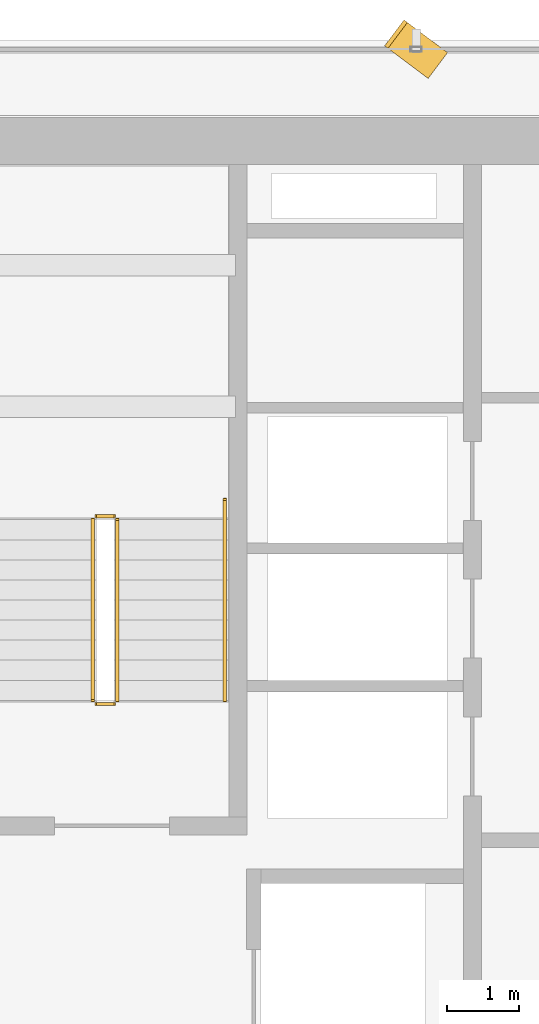
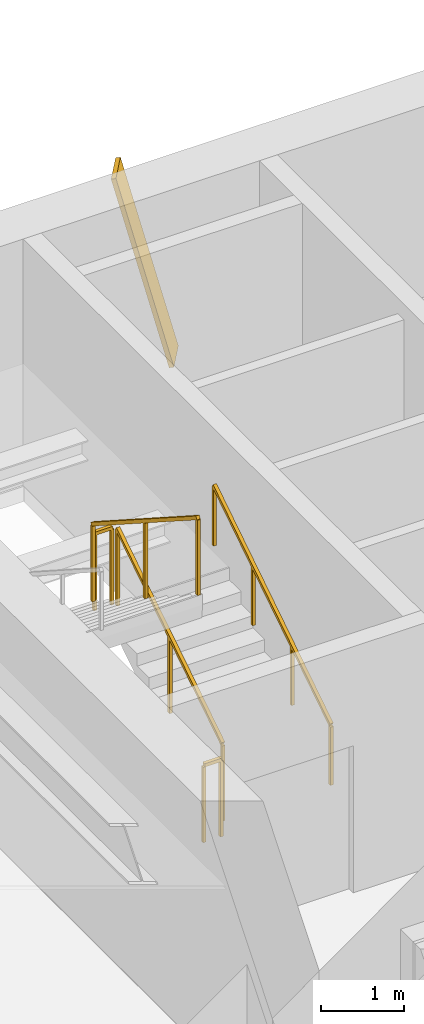
# One storey, part 25 of 28: 5 railings, 1 shading device.
"""IFC4 building model written with IfcOpenShell, lengths in metres."""

import ifcopenshell
import ifcopenshell.guid

model = None  # the IFC model being written
_history = None  # IfcOwnerHistory: only IFC2X3 demands one
_inside = {}  # id of a spatial element -> (the spatial element, [elements in it])
_under = {}  # id of a project, library or spatial element -> (it, [spatial elements below it])
_declared = {}  # id of a project -> (the project, [libraries it declares])
_typed = {}  # id of a type object -> (the type object, [elements of that type])
_made_of = {}  # id of a material, layer set ... -> (it, [elements and type objects made of it])


def new_model(schema):
    """Start an empty IFC model of exactly this schema.

    Asked for "IFC4X3", IfcOpenShell would pick the latest addendum, in which some entities
    have other attributes; the version numbers below select the first issue.
    IFC2X3 requires an IfcOwnerHistory on every rooted entity: one is made here for all.
    """
    global model, _history
    if schema == "IFC4X3":
        model = ifcopenshell.file(schema_version=(4, 3, 0, 0))
    else:
        model = ifcopenshell.file(schema=schema)
    _inside.clear()
    _under.clear()
    _declared.clear()
    _typed.clear()
    _made_of.clear()
    _history = None
    if model.schema == "IFC2X3":
        org = make("IfcOrganization", Name="unknown")
        user = make(
            "IfcPersonAndOrganization",
            ThePerson=make("IfcPerson", FamilyName="unknown"),
            TheOrganization=org,
        )
        app = make(
            "IfcApplication",
            ApplicationDeveloper=org,
            Version="unknown",
            ApplicationFullName="unknown",
            ApplicationIdentifier="unknown",
        )
        _history = make(
            "IfcOwnerHistory",
            OwningUser=user,
            OwningApplication=app,
            ChangeAction="ADDED",
            CreationDate=0,
        )
    return model


def make(cls, **values):
    """One entity of the class cls with the attributes given. An attribute that is None is left unset."""
    return model.create_entity(
        cls, **{name: value for name, value in values.items() if value is not None}
    )


def rooted(cls, **values):
    """An entity with a GlobalId (a new one), such as an element, a storey or a relation."""
    return make(cls, GlobalId=ifcopenshell.guid.new(), OwnerHistory=_history, **values)


def si_unit(unit_type, name, prefix=None):
    """IfcSIUnit, for example si_unit("LENGTHUNIT", "METRE", prefix="MILLI")."""
    return make("IfcSIUnit", UnitType=unit_type, Prefix=prefix, Name=name)


def assignment(units):
    """IfcUnitAssignment: the units of a project."""
    return None if units is None else make("IfcUnitAssignment", Units=units)


def point(xyz):
    """IfcCartesianPoint."""
    return None if xyz is None else make("IfcCartesianPoint", Coordinates=xyz)


def direction(xyz):
    """IfcDirection."""
    return None if xyz is None else make("IfcDirection", DirectionRatios=xyz)


def frame(location, z_axis=None, x_axis=None):
    """IfcAxis2Placement3D, a coordinate frame: its origin and axes. An axis left out is left unset."""
    return make(
        "IfcAxis2Placement3D",
        Location=point(location),
        Axis=direction(z_axis),
        RefDirection=direction(x_axis),
    )


def frame_2d(location, x_axis=None):
    """IfcAxis2Placement2D, a coordinate frame in the plane: its origin and x axis."""
    return make(
        "IfcAxis2Placement2D", Location=point(location), RefDirection=direction(x_axis)
    )


def origin():
    """The frame at (0, 0, 0) with its axes left unset."""
    return frame((0.0, 0.0, 0.0))


def origin_2d():
    """The frame at (0, 0) in the plane with its x axis left unset."""
    return frame_2d((0.0, 0.0))


def place(relative_to, where):
    """IfcLocalPlacement: puts the frame where relative to a parent placement (None: the world)."""
    return make(
        "IfcLocalPlacement", PlacementRelTo=relative_to, RelativePlacement=where
    )


def context(
    kind, dimensions, precision=None, world=None, true_north=None, identifier=None
):
    """IfcGeometricRepresentationContext, for example the 3D "Model" context."""
    return make(
        "IfcGeometricRepresentationContext",
        ContextIdentifier=identifier,
        ContextType=kind,
        CoordinateSpaceDimension=dimensions,
        Precision=precision,
        WorldCoordinateSystem=world,
        TrueNorth=true_north,
    )


def subcontext(parent, identifier, kind, view, scale=None):
    """IfcGeometricRepresentationSubContext, for example "Body" below "Model"."""
    return make(
        "IfcGeometricRepresentationSubContext",
        ContextIdentifier=identifier,
        ContextType=kind,
        ParentContext=parent,
        TargetScale=scale,
        TargetView=view,
    )


def project(units=None, contexts=None):
    """IfcProject with its units and contexts."""
    return rooted(
        "IfcProject",
        Name="project",
        RepresentationContexts=contexts,
        UnitsInContext=assignment(units),
    )


def spatial(cls, under=None, at=None, **own):
    """A site, building, storey or space (cls), placed at a placement, below another one or the project."""
    s = rooted(cls, ObjectPlacement=at, **own)
    if under is not None:
        _under.setdefault(under.id(), (under, []))[1].append(s)
    return s


def profile(cls, at=None, kind="AREA", **sizes):
    """A parametric profile (cls). Its sizes go by their IFC names, for example OverallWidth=200.0."""
    return make(cls, ProfileType=kind, Position=at, **sizes)


def rectangle(**sizes):
    """IfcRectangleProfileDef."""
    return profile("IfcRectangleProfileDef", **sizes)


def extrude(swept, where, along, depth):
    """IfcExtrudedAreaSolid: the profile swept, set in the frame where, extruded along a direction by depth."""
    return make(
        "IfcExtrudedAreaSolid",
        SweptArea=swept,
        Position=where,
        ExtrudedDirection=direction(along),
        Depth=depth,
    )


def shape(context_of_items, identifier, shape_type, items):
    """IfcShapeRepresentation: the items that make up one representation, for example the "Body"."""
    return make(
        "IfcShapeRepresentation",
        ContextOfItems=context_of_items,
        RepresentationIdentifier=identifier,
        RepresentationType=shape_type,
        Items=items,
    )


def source(mapping_origin, context_of_items, identifier, shape_type, items):
    """IfcRepresentationMap: a shape defined once, which mapped items show again and again."""
    return make(
        "IfcRepresentationMap",
        MappingOrigin=mapping_origin,
        MappedRepresentation=shape(context_of_items, identifier, shape_type, items),
    )


def transform(
    local_origin,
    x_axis=None,
    y_axis=None,
    z_axis=None,
    scale=None,
    scale2=None,
    scale3=None,
    uniform=True,
):
    """IfcCartesianTransformationOperator3D, or its non-uniform kind. x_axis, y_axis, z_axis: its Axis1, 2, 3."""
    if uniform:
        return make(
            "IfcCartesianTransformationOperator3D",
            Axis1=direction(x_axis),
            Axis2=direction(y_axis),
            LocalOrigin=point(local_origin),
            Scale=scale,
            Axis3=direction(z_axis),
        )
    return make(
        "IfcCartesianTransformationOperator3DnonUniform",
        Axis1=direction(x_axis),
        Axis2=direction(y_axis),
        LocalOrigin=point(local_origin),
        Scale=scale,
        Axis3=direction(z_axis),
        Scale2=scale2,
        Scale3=scale3,
    )


def mapped(mapping_source, mapping_target):
    """IfcMappedItem: shows the shape of a source again, moved by a transform."""
    return make(
        "IfcMappedItem", MappingSource=mapping_source, MappingTarget=mapping_target
    )


def material(Name=None, Category=None):
    """IfcMaterial."""
    return make("IfcMaterial", Name=Name, Category=Category)


def material_profile(
    of_material, cross_section, Name=None, Category=None, Priority=None
):
    """IfcMaterialProfile: a cross section and its material."""
    return make(
        "IfcMaterialProfile",
        Name=Name,
        Material=of_material,
        Profile=cross_section,
        Priority=Priority,
        Category=Category,
    )


def profile_set(profiles, Name=None, composite=None):
    """IfcMaterialProfileSet."""
    return make(
        "IfcMaterialProfileSet",
        Name=Name,
        MaterialProfiles=profiles,
        CompositeProfile=composite,
    )


def made_of(thing, what):
    """Note that an element or type object is made of a material, layer set ...; save() writes the relation."""
    if what is not None:
        _made_of.setdefault(what.id(), (what, []))[1].append(thing)
    return thing


def type_object(cls, material=None, **own):
    """A type object (cls), such as IfcWallType, which elements share."""
    return made_of(rooted(cls, **own), material)


def element(
    cls,
    number,
    at=None,
    inside=None,
    cuts=None,
    type_object=None,
    material=None,
    context=None,
    identifier="Body",
    shape_type=None,
    held_by="IfcProductDefinitionShape",
    body=None,
    shapes=None,
    **own,
):
    """One element of the class cls, such as IfcWall. Its Tag is "e" and its number.

    at: its placement. inside: the storey or other place that contains it. cuts: it is an
    opening in that element (IfcRelVoidsElement). A single representation is given by context,
    identifier, shape_type and body (its items); several are given by shapes. held_by: the class
    of the entity that holds the representations. save() writes the other relations.
    """
    e = rooted(cls, Tag="e%d" % number, ObjectPlacement=at, **own)
    if body is not None:
        shapes = [shape(context, identifier, shape_type, body)]
    if shapes is not None:
        e.Representation = make(held_by, Representations=shapes)
    if inside is not None:
        _inside.setdefault(inside.id(), (inside, []))[1].append(e)
    if cuts is not None:
        rooted(
            "IfcRelVoidsElement", RelatingBuildingElement=cuts, RelatedOpeningElement=e
        )
    if type_object is not None:
        _typed.setdefault(type_object.id(), (type_object, []))[1].append(e)
    return made_of(e, material)


def aggregate(whole, parts):
    """IfcRelAggregates: a whole, such as a stair, and the parts it consists of."""
    return rooted("IfcRelAggregates", RelatingObject=whole, RelatedObjects=parts)


def save(model, path):
    """Write the relations noted so far, then the file.

    IfcRelAggregates (storeys below a building ...), IfcRelContainedInSpatialStructure (elements
    in a storey), IfcRelDefinesByType, IfcRelAssociatesMaterial and IfcRelDeclares: one each for
    every whole, place, type object, material and project.
    """
    for whole, parts in _under.values():
        aggregate(whole, parts)
    for where, things in _inside.values():
        rooted(
            "IfcRelContainedInSpatialStructure",
            RelatedElements=things,
            RelatingStructure=where,
        )
    for kind, things in _typed.values():
        rooted("IfcRelDefinesByType", RelatedObjects=things, RelatingType=kind)
    for what, things in _made_of.values():
        rooted("IfcRelAssociatesMaterial", RelatedObjects=things, RelatingMaterial=what)
    for by, libraries in _declared.values():
        rooted("IfcRelDeclares", RelatingContext=by, RelatedDefinitions=libraries)
    model.write(path)


model = new_model("IFC4")

# Units and contexts
model_context = context("Model", 3, precision=1e-05, world=origin(), true_north=direction((0.0, 1.0)))
body_context = subcontext(model_context, "Body", "Model", "MODEL_VIEW")
ifc_project = project(units=[si_unit("LENGTHUNIT", "METRE"), si_unit("AREAUNIT", "SQUARE_METRE"), si_unit("VOLUMEUNIT", "CUBIC_METRE"), si_unit("PLANEANGLEUNIT", "RADIAN"), si_unit("MASSUNIT", "GRAM", prefix="KILO")], contexts=[model_context])

# Site, building, storey
site_placement = place(None, origin())
site = spatial("IfcSite", under=ifc_project, at=site_placement, CompositionType="ELEMENT")
building_placement = place(site_placement, origin())
building = spatial("IfcBuilding", under=site, at=building_placement, Name="Sumidabori Civic Tower", CompositionType="ELEMENT")
storey_placement = place(building_placement, frame((0.0, 0.0, 153.199951171875)))
storey = spatial("IfcBuildingStorey", under=building, at=storey_placement, Name="L39", CompositionType="ELEMENT", Elevation=153.199951171875)

# Railings
ifc_material_1 = material(Name="Stainless Steel Hairline Finish", Category="steel")
railing_type_1 = type_object("IfcRailingType", Name="RL-HANDRAIL", PredefinedType="HANDRAIL", material=ifc_material_1)
railing_1_placement = place(storey_placement, frame((-11.949951171875, 16.0, 0.179931640625)))
element("IfcRailing", 1, at=railing_1_placement, inside=storey, type_object=railing_type_1, Name="L39 ST-1 stair handrail 1", PredefinedType="HANDRAIL", context=body_context, shape_type="SweptSolid", body=[
    extrude(rectangle(XDim=0.048095703125, YDim=0.048095703125, at=origin_2d()), frame((0.0, 0.0, 0.8759765625), z_axis=(0.0, 0.84064222762, 0.54159084662), x_axis=(-1.0, 0.0, 0.0)), (0.0, 0.0, 1.0), 3.330810546875),
    extrude(rectangle(XDim=0.0419921875, YDim=0.0419921875, at=origin_2d()), origin(), (0.0, 0.0, 1.0), 0.851806640625),
    extrude(rectangle(XDim=0.0419921875, YDim=0.0419921875, at=origin_2d()), frame((0.0, 0.933349609375, 0.601318359375)), (0.0, 0.0, 1.0), 0.851806640625),
    extrude(rectangle(XDim=0.0419921875, YDim=0.0419921875, at=origin_2d()), frame((0.0, 1.86669921875, 1.20263671875)), (0.0, 0.0, 1.0), 0.851806640625),
    extrude(rectangle(XDim=0.0419921875, YDim=0.0419921875, at=origin_2d()), frame((0.0, 2.800048828125, 1.803955078125)), (0.0, 0.0, 1.0), 0.851806640625),
])
ifc_material_2 = material(Name="Steel SN490", Category="steel")
railing_type_2 = type_object("IfcRailingType", Name="RL-STAIR-GUARD", PredefinedType="GUARDRAIL", material=ifc_material_2)
railing_2_placement = place(storey_placement, frame((-13.449951171875, 16.0, 0.179931640625)))
element("IfcRailing", 2, at=railing_2_placement, inside=storey, type_object=railing_type_2, Name="L39 ST-1 stair guard 1", PredefinedType="GUARDRAIL", context=body_context, shape_type="SweptSolid", body=[
    extrude(rectangle(XDim=0.048095703125, YDim=0.048095703125, at=origin_2d()), frame((0.0, 0.0, 1.1259765625), z_axis=(0.0, 0.841162588446, 0.540782303519), x_axis=(-1.0, 0.0, 0.0)), (0.0, 0.0, 1.0), 2.995849609375),
    extrude(rectangle(XDim=0.0419921875, YDim=0.0419921875, at=origin_2d()), origin(), (0.0, 0.0, 1.0), 1.101806640625),
    extrude(rectangle(XDim=0.0419921875, YDim=0.0419921875, at=origin_2d()), frame((0.0, 1.260009765625, 0.81005859375)), (0.0, 0.0, 1.0), 1.101806640625),
    extrude(rectangle(XDim=0.0419921875, YDim=0.0419921875, at=origin_2d()), frame((0.0, 2.52001953125, 1.6201171875)), (0.0, 0.0, 1.0), 1.101806640625),
])
railing_3_placement = place(storey_placement, frame((-13.5, 18.570068359375, 1.800048828125)))
element("IfcRailing", 3, at=railing_3_placement, inside=storey, type_object=railing_type_2, Name="L39 ST-1 stair guard 2", PredefinedType="GUARDRAIL", context=body_context, shape_type="SweptSolid", body=[
    extrude(rectangle(XDim=0.048095703125, YDim=0.048095703125, at=origin_2d()), frame((0.0, 0.0, 1.1259765625), z_axis=(-1.0, 0.0, 0.0), x_axis=(0.0, -1.0, 0.0)), (0.0, 0.0, 1.0), 0.239990234375),
    extrude(rectangle(XDim=0.0419921875, YDim=0.0419921875, at=origin_2d()), origin(), (0.0, 0.0, 1.0), 1.101806640625),
    extrude(rectangle(XDim=0.0419921875, YDim=0.0419921875, at=origin_2d()), frame((-0.239990234375, 0.0, 0.0)), (0.0, 0.0, 1.0), 1.101806640625),
])
railing_4_placement = place(storey_placement, frame((-13.7900390625, 18.52001953125, 1.97998046875)))
element("IfcRailing", 4, at=railing_4_placement, inside=storey, type_object=railing_type_2, Name="L39 ST-1 stair guard 3", PredefinedType="GUARDRAIL", context=body_context, shape_type="SweptSolid", body=[
    extrude(rectangle(XDim=0.048095703125, YDim=0.048095703125, at=origin_2d()), frame((0.0, 0.0, 1.1259765625), z_axis=(0.0, -0.841162588446, 0.540782303519), x_axis=(1.0, 0.0, 0.0)), (0.0, 0.0, 1.0), 2.995849609375),
    extrude(rectangle(XDim=0.0419921875, YDim=0.0419921875, at=origin_2d()), origin(), (0.0, 0.0, 1.0), 1.101806640625),
    extrude(rectangle(XDim=0.0419921875, YDim=0.0419921875, at=origin_2d()), frame((0.0, -1.260009765625, 0.81005859375)), (0.0, 0.0, 1.0), 1.101806640625),
    extrude(rectangle(XDim=0.0419921875, YDim=0.0419921875, at=origin_2d()), frame((0.0, -2.52001953125, 1.6201171875)), (0.0, 0.0, 1.0), 1.101806640625),
])
railing_5_placement = place(storey_placement, frame((-13.5, 15.949951171875, 0.0)))
element("IfcRailing", 5, at=railing_5_placement, inside=storey, type_object=railing_type_2, Name="L39 ST-1 stair guard 4", PredefinedType="GUARDRAIL", context=body_context, shape_type="SweptSolid", body=[
    extrude(rectangle(XDim=0.048095703125, YDim=0.048095703125, at=origin_2d()), frame((0.0, 0.0, 1.1259765625), z_axis=(-1.0, 0.0, 0.0), x_axis=(0.0, -1.0, 0.0)), (0.0, 0.0, 1.0), 0.239990234375),
    extrude(rectangle(XDim=0.0419921875, YDim=0.0419921875, at=origin_2d()), origin(), (0.0, 0.0, 1.0), 1.101806640625),
    extrude(rectangle(XDim=0.0419921875, YDim=0.0419921875, at=origin_2d()), frame((-0.239990234375, 0.0, 0.0)), (0.0, 0.0, 1.0), 1.101806640625),
])

# Shading device
ifc_material_3 = material(Name="Anodised Bronze Aluminium AW-6063-T6", Category="aluminium")
ifc_material_profile = material_profile(ifc_material_3, rectangle(XDim=0.06005859375, YDim=0.449951171875, at=origin_2d()), Name="BRONZE FIN 450x60")
ifc_profile_set = profile_set([ifc_material_profile], Name="Anodised Bronze Aluminium AW-6063-T6")
shading_device_type = type_object("IfcShadingDeviceType", Name="SH-FIN-450", PredefinedType="USERDEFINED", material=ifc_profile_set)
shared_shape = source(origin(), body_context, "Body", "SweptSolid", [
    extrude(rectangle(XDim=0.06005859375, YDim=0.449951171875, at=origin_2d()), origin(), (0.0, 0.0, 1.0), 2.789306640625),
])
shading_device_placement = place(storey_placement, frame((-9.0048828125, 24.8701171875, 0.02001953125), z_axis=(-0.200794136335, 0.150551837182, 0.967995794998), x_axis=(0.774477654896, -0.580689436103, 0.250966413819)))
element("IfcShadingDevice", 6, at=shading_device_placement, inside=storey, type_object=shading_device_type, Name="Bronze Anodised Diagonal Fin L39-03", ObjectType="FIN", PredefinedType="USERDEFINED", context=body_context, shape_type="MappedRepresentation", body=[
    mapped(shared_shape, transform((0.0, 0.0, 0.0), x_axis=(1.0, 0.0, 0.0), y_axis=(0.0, 1.0, 0.0), z_axis=(0.0, 0.0, 1.0), scale=1.0)),
])

save(model, "model.ifc")
